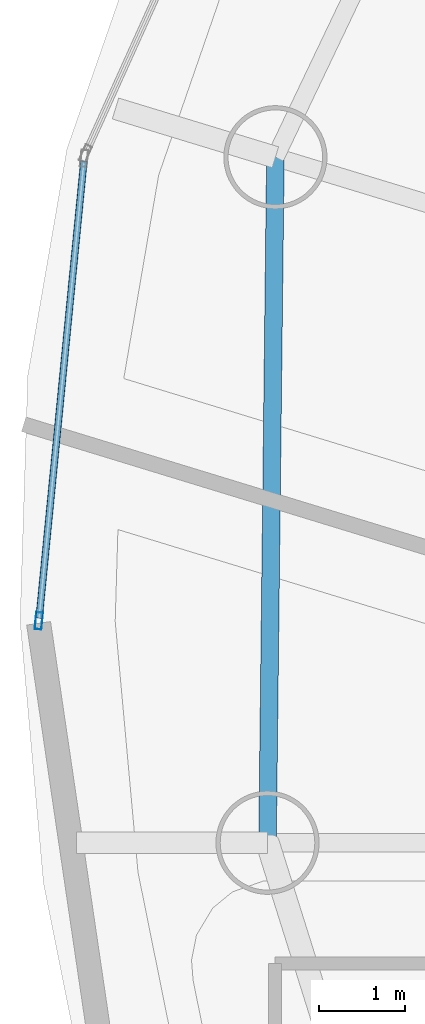
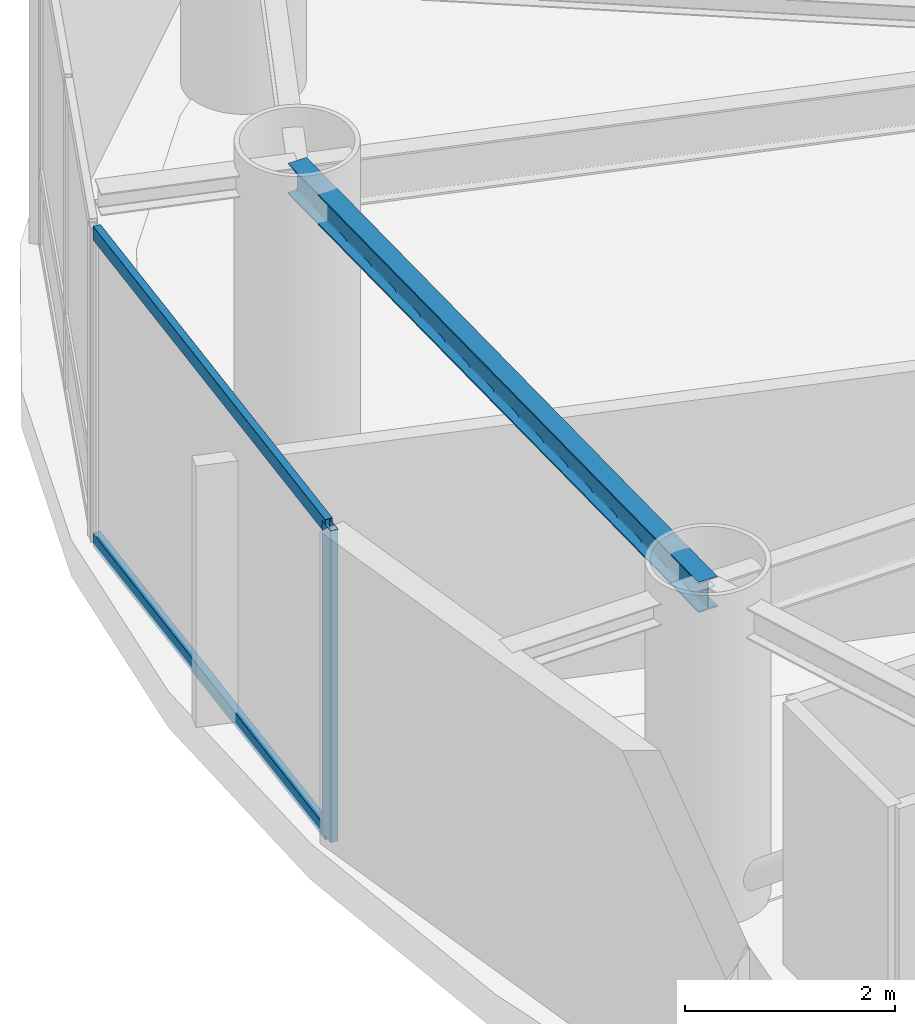
# One storey, part 5 of 25: 3 members, 1 beam, 1 element without a shape of its own.
"""IFC4 building model written with IfcOpenShell, lengths in metres."""

from ifc_helpers import new_model, si_unit, direction, frame, origin, origin_2d, place, context, subcontext, project, spatial, hollow_rectangle, i_section, extrude, material, layer, layer_set, material_profile, profile_set, type_object, element, aggregate, save


model = new_model("IFC4")

# Units and contexts
model_context = context("Model", 3, precision=1e-05, world=origin(), true_north=direction((0.0, 1.0)))
body_context = subcontext(model_context, "Body", "Model", "MODEL_VIEW")
ifc_project = project(units=[si_unit("LENGTHUNIT", "METRE"), si_unit("AREAUNIT", "SQUARE_METRE"), si_unit("VOLUMEUNIT", "CUBIC_METRE"), si_unit("PLANEANGLEUNIT", "RADIAN"), si_unit("MASSUNIT", "GRAM", prefix="KILO")], contexts=[model_context])

# Site, building, storey
site_placement = place(None, origin())
site = spatial("IfcSite", under=ifc_project, at=site_placement, CompositionType="ELEMENT")
building_placement = place(site_placement, origin())
building = spatial("IfcBuilding", under=site, at=building_placement, Name="Bramvorn Convention Spire", CompositionType="ELEMENT")
storey_placement = place(building_placement, frame((0.0, 0.0, 171.199951171875)))
storey = spatial("IfcBuildingStorey", under=building, at=storey_placement, Name="L43", CompositionType="ELEMENT", Elevation=171.199951171875)

# Beam
ifc_material_1 = material(Name="Steel CSA G40.21 Grade 350 (350W)", Category="steel")
ifc_material_profile_1 = material_profile(ifc_material_1, i_section(OverallWidth=0.205078125, OverallDepth=0.35400390625, WebThickness=0.009521484375, FlangeThickness=0.016845703125, FilletRadius=0.014892578125, at=origin_2d()))
ifc_profile_set_1 = profile_set([ifc_material_profile_1], Name="Steel CSA G40.21 Grade 350 (350W) - W360X79")
beam_type = type_object("IfcBeamType", Name="BM-W360X79", PredefinedType="JOIST", material=ifc_profile_set_1)
beam_placement = place(storey_placement, frame((17.136962890625, 36.380615234375, 3.443115234375), z_axis=(-0.011480475367, -0.999934097171, 0.0), x_axis=(0.999934097171, -0.011480475367, 0.0)))
element("IfcBeam", 1, at=beam_placement, inside=storey, type_object=beam_type, Name="L43 mega-column ring beam 10", PredefinedType="JOIST", context=body_context, shape_type="SweptSolid", body=[
    extrude(i_section(OverallWidth=0.205078125, OverallDepth=0.35400390625, WebThickness=0.009521484375, FlangeThickness=0.016845703125, FilletRadius=0.014892578125, at=origin_2d()), origin(), (0.0, 0.0, 1.0), 7.974609375),
])

# Curtain wall, members
ifc_material_2 = material(Name="Anodised Bronze Unitised Curtain Wall", Category="aluminium")
ifc_layer = layer(ifc_material_2, 0.179931640625)
ifc_layer_set = layer_set([ifc_layer], Name="Anodised Bronze Unitised Curtain Wall - CW-OFF-FRIT")
curtain_wall_type = type_object("IfcCurtainWallType", Name="CW-OFF-FRIT", PredefinedType="USERDEFINED", material=ifc_layer_set)
curtain_wall_placement = place(storey_placement, origin())
curtain_wall = element("IfcCurtainWall", 2, at=curtain_wall_placement, inside=storey, type_object=curtain_wall_type, Name="L43 fritted glass curtain wall 14", ObjectType="UNITISED CURTAIN WALL", PredefinedType="USERDEFINED")
ifc_material_3 = material(Name="Anodised Bronze Aluminium 6063-T6", Category="aluminium")
ifc_material_profile_2 = material_profile(ifc_material_3, hollow_rectangle(XDim=0.080078125, YDim=0.199951171875, WallThickness=0.00390625, InnerFilletRadius=0.0009765625, OuterFilletRadius=0.00390625, at=origin_2d()))
ifc_profile_set_2 = profile_set([ifc_material_profile_2], Name="Anodised Bronze Aluminium 6063-T6 - CWM80X200")
member_type_1 = type_object("IfcMemberType", Name="CW-MUL-180", PredefinedType="MULLION", material=ifc_profile_set_2)
member_1_placement = place(storey_placement, frame((14.3857421875, 30.988525390625, 0.0), z_axis=(0.0, 0.0, 1.0), x_axis=(-0.995233610911, 0.097519535036, 0.0)))
member_1 = element("IfcMember", 3, at=member_1_placement, type_object=member_type_1, Name="CW3 mullion 1", PredefinedType="MULLION", context=body_context, shape_type="SweptSolid", body=[
    extrude(hollow_rectangle(XDim=0.080078125, YDim=0.199951171875, WallThickness=0.00390625, InnerFilletRadius=0.0009765625, OuterFilletRadius=0.00390625, at=origin_2d()), origin(), (0.0, 0.0, 1.0), 3.6201171875),
])
ifc_material_profile_3 = material_profile(ifc_material_3, hollow_rectangle(XDim=0.080078125, YDim=0.159912109375, WallThickness=0.00390625, InnerFilletRadius=0.0009765625, OuterFilletRadius=0.00390625, at=origin_2d()))
ifc_profile_set_3 = profile_set([ifc_material_profile_3], Name="Anodised Bronze Aluminium 6063-T6 - CWT80X160")
member_type_2 = type_object("IfcMemberType", Name="CW-TRN-150", PredefinedType="USERDEFINED", material=ifc_profile_set_3)
member_2_placement = place(storey_placement, frame((14.388671875, 31.018310546875, 0.030029296875), z_axis=(0.097527065855, 0.995232872963, 0.0), x_axis=(-0.995232872963, 0.097527065855, 0.0)))
member_2 = element("IfcMember", 4, at=member_2_placement, type_object=member_type_2, Name="CW3 transom 1.1", ObjectType="TRANSOM", PredefinedType="USERDEFINED", context=body_context, shape_type="SweptSolid", body=[
    extrude(hollow_rectangle(XDim=0.080078125, YDim=0.159912109375, WallThickness=0.00390625, InnerFilletRadius=0.0009765625, OuterFilletRadius=0.00390625, at=origin_2d()), origin(), (0.0, 0.0, 1.0), 5.344482421875),
])
member_3_placement = place(storey_placement, frame((14.388671875, 31.018310546875, 3.590087890625), z_axis=(0.097527065855, 0.995232872963, 0.0), x_axis=(-0.995232872963, 0.097527065855, 0.0)))
member_3 = element("IfcMember", 5, at=member_3_placement, type_object=member_type_2, Name="CW3 transom 1.2", ObjectType="TRANSOM", PredefinedType="USERDEFINED", context=body_context, shape_type="SweptSolid", body=[
    extrude(hollow_rectangle(XDim=0.080078125, YDim=0.159912109375, WallThickness=0.00390625, InnerFilletRadius=0.0009765625, OuterFilletRadius=0.00390625, at=origin_2d()), origin(), (0.0, 0.0, 1.0), 5.344482421875),
])
aggregate(curtain_wall, [member_1, member_2, member_3])

save(model, "model.ifc")
